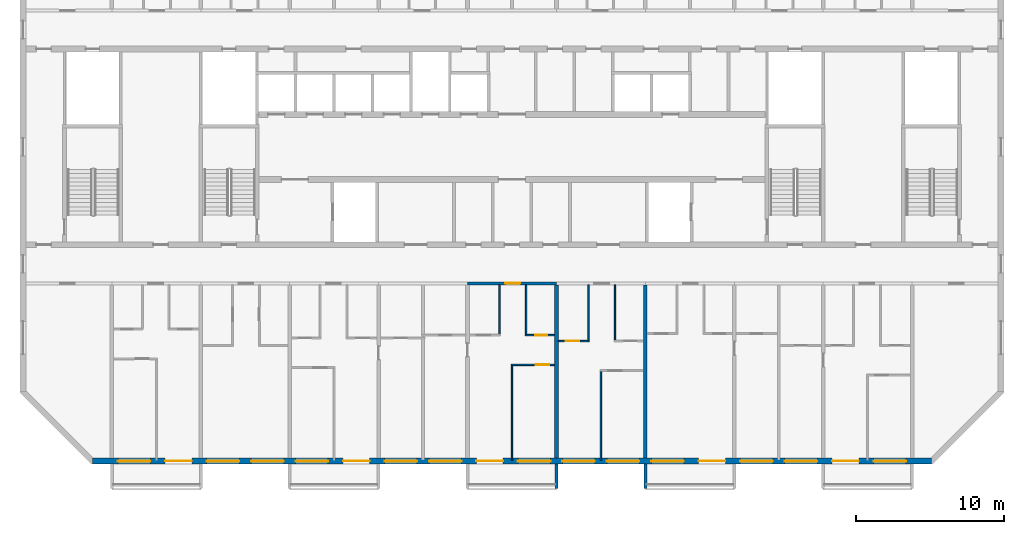
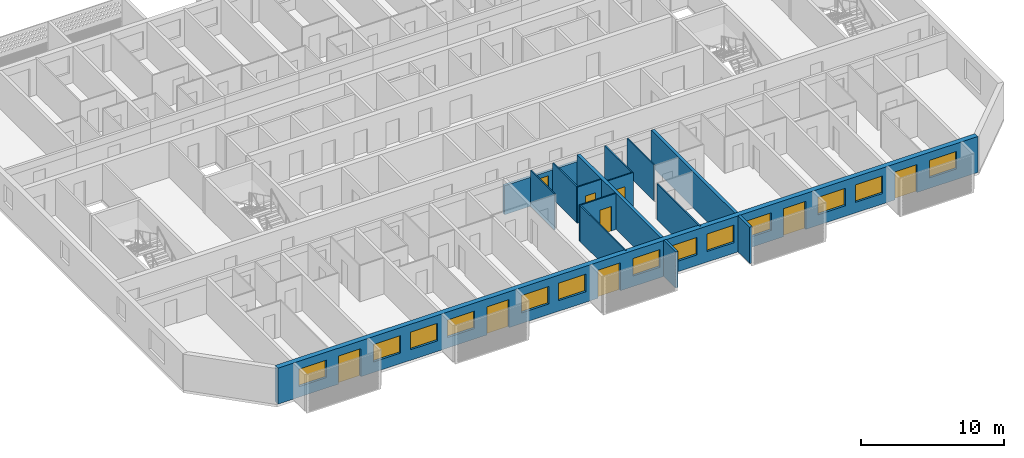
# One storey, part 4 of 27: 15 walls, 13 windows, 9 doors, 22 openings.
"""IFC4 building model written with IfcOpenShell, lengths in metres."""

from ifc_helpers import new_model, si_unit, direction, frame, frame_2d, origin, place, context, subcontext, project, spatial, polyline, rectangle, outline, extrude, source, transform, mapped, material, layer, layer_set, type_object, element, fill, save


model = new_model("IFC4")

# Units and contexts
model_context = context("Model", 3, precision=1e-05, world=origin(), true_north=direction((0.0, 1.0)))
body_context = subcontext(model_context, "Body", "Model", "MODEL_VIEW")
ifc_project = project(units=[si_unit("LENGTHUNIT", "METRE"), si_unit("AREAUNIT", "SQUARE_METRE"), si_unit("VOLUMEUNIT", "CUBIC_METRE"), si_unit("PLANEANGLEUNIT", "RADIAN"), si_unit("MASSUNIT", "GRAM", prefix="KILO")], contexts=[model_context])

# Site, building, storey
site_placement = place(None, origin())
site = spatial("IfcSite", under=ifc_project, at=site_placement, CompositionType="ELEMENT")
building_placement = place(site_placement, origin())
building = spatial("IfcBuilding", under=site, at=building_placement, Name="Poui Terraces", CompositionType="ELEMENT")
storey_placement = place(building_placement, frame((0.0, 0.0, 191.699951171875)))
storey = spatial("IfcBuildingStorey", under=building, at=storey_placement, Name="L53", CompositionType="ELEMENT", Elevation=191.699951171875)

# Wall, opening, door
ifc_material_1 = material(Name="Concrete 50 MPa", Category="concrete")
ifc_layer_1 = layer(ifc_material_1, 0.199951171875)
ifc_layer_set_1 = layer_set([ifc_layer_1], Name="Concrete 50 MPa")
wall_type_1 = type_object("IfcWallType", Name="CORRIDOR WALL 200 50MPa", PredefinedType="SHEAR", material=ifc_layer_set_1)
wall_1_placement = place(storey_placement, frame((48.0, 12.0, 0.0), z_axis=(0.0, 0.0, 1.0), x_axis=(1.0, 0.0, 0.0)))
wall_1 = element("IfcWall", 1, at=wall_1_placement, inside=storey, type_object=wall_type_1, Name="CORRIDOR WALL LINE B BAY 6", PredefinedType="SHEAR", context=body_context, shape_type="SweptSolid", body=[
    extrude(rectangle(XDim=6.0, YDim=0.199951171875, at=frame_2d((3.0, 0.0))), origin(), (0.0, 0.0, 1.0), 2.47998046875),
])
opening_1_placement = place(wall_1_placement, frame((2.550048828125, 0.0, 0.0)))
opening_1 = element("IfcOpeningElement", 2, at=opening_1_placement, cuts=wall_1, Name="Opening FD30S", PredefinedType="OPENING", context=body_context, shape_type="SweptSolid", body=[
    extrude(rectangle(XDim=1.0, YDim=2.10009765625, at=frame_2d((0.5, 1.050048828125))), frame((0.0, 0.10986328125, 0.0), z_axis=(0.0, -1.0, 0.0), x_axis=(1.0, 0.0, 0.0)), (0.0, 0.0, 1.0), 0.219970703125),
])
ifc_material_2 = material(Name="Steel fire door", Category="steel")
door_type_1 = type_object("IfcDoorType", Name="FLAT ENTRANCE DOOR 1000 X 2100", OperationType="NOTDEFINED", PredefinedType="DOOR", material=ifc_material_2)
door_1_placement = place(opening_1_placement, frame((1.0, 0.0, 0.0), z_axis=(0.0, 0.0, 1.0), x_axis=(-1.0, 0.0, 0.0)))
door_1 = element("IfcDoor", 3, at=door_1_placement, inside=storey, type_object=door_type_1, Name="FLAT ENTRANCE DOOR 080", OperationType="SINGLE_SWING_LEFT", OverallHeight=2.10009765625, OverallWidth=1.0, PredefinedType="DOOR", context=body_context, shape_type="SweptSolid", body=[
    extrude(rectangle(XDim=1.0, YDim=2.10009765625, at=frame_2d((0.5, 1.050048828125))), frame((0.0, 0.02490234375, 0.0), z_axis=(0.0, -1.0, 0.0), x_axis=(1.0, 0.0, 0.0)), (0.0, 0.0, 1.0), 0.050048828125),
])
fill(opening_1, door_1)

# Walls
ifc_layer_2 = layer(ifc_material_1, 0.25)
ifc_layer_set_2 = layer_set([ifc_layer_2], Name="Concrete 50 MPa")
wall_type_2 = type_object("IfcWallType", Name="CROSS WALL 250 50MPa", PredefinedType="SHEAR", material=ifc_layer_set_2)
for number, where, z_axis, x_axis, name in (
    (4, (54.0, 0.199951171875, 0.0), (0.0, 0.0, 1.0), (0.0, 1.0, 0.0), "CROSS WALL LINE 10 SOUTH"),
    (5, (60.0, 0.199951171875, 0.0), (0.0, 0.0, 1.0), (0.0, 1.0, 0.0), "CROSS WALL LINE 11 SOUTH"),
):
    element("IfcWall", number, at=place(storey_placement, frame(where, z_axis=z_axis, x_axis=x_axis)), inside=storey, type_object=wall_type_2, Name=name, PredefinedType="SHEAR", context=body_context, shape_type="SweptSolid", body=[
        extrude(rectangle(XDim=11.699951171875, YDim=0.25, at=frame_2d((5.85009765625, 0.0))), origin(), (0.0, 0.0, 1.0), 3.080078125),
    ])

# Wall, openings, doors, windows
ifc_material_3 = material(Name="Precast concrete 40 MPa", Category="concrete")
ifc_layer_3 = layer(ifc_material_3, 0.39990234375)
ifc_layer_set_3 = layer_set([ifc_layer_3], Name="Precast concrete 40 MPa")
wall_type_3 = type_object("IfcWallType", Name="EXTERNAL WALL 400", PredefinedType="STANDARD", material=ifc_layer_set_3)
wall_2_placement = place(storey_placement, frame((22.682861328125, 0.0, 0.0), z_axis=(0.0, 0.0, 1.0), x_axis=(1.0, 0.0, 0.0)))
wall_2 = element("IfcWall", 6, at=wall_2_placement, inside=storey, type_object=wall_type_3, Name="EXTERNAL WALL S", PredefinedType="STANDARD", context=body_context, shape_type="SweptSolid", body=[
    extrude(rectangle(XDim=56.63427734375, YDim=0.39990234375, at=frame_2d((28.317138671875, 0.0))), origin(), (0.0, 0.0, 1.0), 3.080078125),
])
opening_2_placement = place(wall_2_placement, frame((1.71728515625, 0.0, 0.89990234375)))
opening_2 = element("IfcOpeningElement", 7, at=opening_2_placement, cuts=wall_2, Name="Opening W1", PredefinedType="OPENING", context=body_context, shape_type="SweptSolid", body=[
    extrude(rectangle(XDim=2.199951171875, YDim=1.5, at=frame_2d((1.10009765625, 0.75))), frame((0.0, 0.2099609375, 0.0), z_axis=(0.0, -1.0, 0.0), x_axis=(1.0, 0.0, 0.0)), (0.0, 0.0, 1.0), 0.419921875),
])
opening_3_placement = place(wall_2_placement, frame((4.917236328125, 0.0, 0.0)))
opening_3 = element("IfcOpeningElement", 8, at=opening_3_placement, cuts=wall_2, Name="Opening BD1", PredefinedType="OPENING", context=body_context, shape_type="SweptSolid", body=[
    extrude(rectangle(XDim=1.800048828125, YDim=2.39990234375, at=frame_2d((0.89990234375, 1.199951171875))), frame((0.0, 0.2099609375, 0.0), z_axis=(0.0, -1.0, 0.0), x_axis=(1.0, 0.0, 0.0)), (0.0, 0.0, 1.0), 0.419921875),
])
opening_4_placement = place(wall_2_placement, frame((7.71728515625, 0.0, 0.89990234375)))
opening_4 = element("IfcOpeningElement", 9, at=opening_4_placement, cuts=wall_2, Name="Opening W1", PredefinedType="OPENING", context=body_context, shape_type="SweptSolid", body=[
    extrude(rectangle(XDim=2.199951171875, YDim=1.5, at=frame_2d((1.10009765625, 0.75))), frame((0.0, 0.2099609375, 0.0), z_axis=(0.0, -1.0, 0.0), x_axis=(1.0, 0.0, 0.0)), (0.0, 0.0, 1.0), 0.419921875),
])
opening_5_placement = place(wall_2_placement, frame((10.71728515625, 0.0, 0.89990234375)))
opening_5 = element("IfcOpeningElement", 10, at=opening_5_placement, cuts=wall_2, Name="Opening W1", PredefinedType="OPENING", context=body_context, shape_type="SweptSolid", body=[
    extrude(rectangle(XDim=2.199951171875, YDim=1.5, at=frame_2d((1.10009765625, 0.75))), frame((0.0, 0.2099609375, 0.0), z_axis=(0.0, -1.0, 0.0), x_axis=(1.0, 0.0, 0.0)), (0.0, 0.0, 1.0), 0.419921875),
])
opening_6_placement = place(wall_2_placement, frame((13.71728515625, 0.0, 0.89990234375)))
opening_6 = element("IfcOpeningElement", 11, at=opening_6_placement, cuts=wall_2, Name="Opening W1", PredefinedType="OPENING", context=body_context, shape_type="SweptSolid", body=[
    extrude(rectangle(XDim=2.199951171875, YDim=1.5, at=frame_2d((1.10009765625, 0.75))), frame((0.0, 0.2099609375, 0.0), z_axis=(0.0, -1.0, 0.0), x_axis=(1.0, 0.0, 0.0)), (0.0, 0.0, 1.0), 0.419921875),
])
opening_7_placement = place(wall_2_placement, frame((16.917236328125, 0.0, 0.0)))
opening_7 = element("IfcOpeningElement", 12, at=opening_7_placement, cuts=wall_2, Name="Opening BD1", PredefinedType="OPENING", context=body_context, shape_type="SweptSolid", body=[
    extrude(rectangle(XDim=1.800048828125, YDim=2.39990234375, at=frame_2d((0.89990234375, 1.199951171875))), frame((0.0, 0.2099609375, 0.0), z_axis=(0.0, -1.0, 0.0), x_axis=(1.0, 0.0, 0.0)), (0.0, 0.0, 1.0), 0.419921875),
])
opening_8_placement = place(wall_2_placement, frame((19.71728515625, 0.0, 0.89990234375)))
opening_8 = element("IfcOpeningElement", 13, at=opening_8_placement, cuts=wall_2, Name="Opening W1", PredefinedType="OPENING", context=body_context, shape_type="SweptSolid", body=[
    extrude(rectangle(XDim=2.199951171875, YDim=1.5, at=frame_2d((1.10009765625, 0.75))), frame((0.0, 0.2099609375, 0.0), z_axis=(0.0, -1.0, 0.0), x_axis=(1.0, 0.0, 0.0)), (0.0, 0.0, 1.0), 0.419921875),
])
opening_9_placement = place(wall_2_placement, frame((22.71728515625, 0.0, 0.89990234375)))
opening_9 = element("IfcOpeningElement", 14, at=opening_9_placement, cuts=wall_2, Name="Opening W1", PredefinedType="OPENING", context=body_context, shape_type="SweptSolid", body=[
    extrude(rectangle(XDim=2.199951171875, YDim=1.5, at=frame_2d((1.10009765625, 0.75))), frame((0.0, 0.2099609375, 0.0), z_axis=(0.0, -1.0, 0.0), x_axis=(1.0, 0.0, 0.0)), (0.0, 0.0, 1.0), 0.419921875),
])
opening_10_placement = place(wall_2_placement, frame((25.917236328125, 0.0, 0.0)))
opening_10 = element("IfcOpeningElement", 15, at=opening_10_placement, cuts=wall_2, Name="Opening BD1", PredefinedType="OPENING", context=body_context, shape_type="SweptSolid", body=[
    extrude(rectangle(XDim=1.800048828125, YDim=2.39990234375, at=frame_2d((0.89990234375, 1.199951171875))), frame((0.0, 0.2099609375, 0.0), z_axis=(0.0, -1.0, 0.0), x_axis=(1.0, 0.0, 0.0)), (0.0, 0.0, 1.0), 0.419921875),
])
opening_11_placement = place(wall_2_placement, frame((28.71728515625, 0.0, 0.89990234375)))
opening_11 = element("IfcOpeningElement", 16, at=opening_11_placement, cuts=wall_2, Name="Opening W1", PredefinedType="OPENING", context=body_context, shape_type="SweptSolid", body=[
    extrude(rectangle(XDim=2.199951171875, YDim=1.5, at=frame_2d((1.10009765625, 0.75))), frame((0.0, 0.2099609375, 0.0), z_axis=(0.0, -1.0, 0.0), x_axis=(1.0, 0.0, 0.0)), (0.0, 0.0, 1.0), 0.419921875),
])
opening_12_placement = place(wall_2_placement, frame((31.71728515625, 0.0, 0.89990234375)))
opening_12 = element("IfcOpeningElement", 17, at=opening_12_placement, cuts=wall_2, Name="Opening W1", PredefinedType="OPENING", context=body_context, shape_type="SweptSolid", body=[
    extrude(rectangle(XDim=2.199951171875, YDim=1.5, at=frame_2d((1.10009765625, 0.75))), frame((0.0, 0.2099609375, 0.0), z_axis=(0.0, -1.0, 0.0), x_axis=(1.0, 0.0, 0.0)), (0.0, 0.0, 1.0), 0.419921875),
])
opening_13_placement = place(wall_2_placement, frame((34.71728515625, 0.0, 0.89990234375)))
opening_13 = element("IfcOpeningElement", 18, at=opening_13_placement, cuts=wall_2, Name="Opening W1", PredefinedType="OPENING", context=body_context, shape_type="SweptSolid", body=[
    extrude(rectangle(XDim=2.199951171875, YDim=1.5, at=frame_2d((1.10009765625, 0.75))), frame((0.0, 0.2099609375, 0.0), z_axis=(0.0, -1.0, 0.0), x_axis=(1.0, 0.0, 0.0)), (0.0, 0.0, 1.0), 0.419921875),
])
opening_14_placement = place(wall_2_placement, frame((37.71728515625, 0.0, 0.89990234375)))
opening_14 = element("IfcOpeningElement", 19, at=opening_14_placement, cuts=wall_2, Name="Opening W1", PredefinedType="OPENING", context=body_context, shape_type="SweptSolid", body=[
    extrude(rectangle(XDim=2.199951171875, YDim=1.5, at=frame_2d((1.10009765625, 0.75))), frame((0.0, 0.2099609375, 0.0), z_axis=(0.0, -1.0, 0.0), x_axis=(1.0, 0.0, 0.0)), (0.0, 0.0, 1.0), 0.419921875),
])
opening_15_placement = place(wall_2_placement, frame((40.917236328125, 0.0, 0.0)))
opening_15 = element("IfcOpeningElement", 20, at=opening_15_placement, cuts=wall_2, Name="Opening BD1", PredefinedType="OPENING", context=body_context, shape_type="SweptSolid", body=[
    extrude(rectangle(XDim=1.800048828125, YDim=2.39990234375, at=frame_2d((0.89990234375, 1.199951171875))), frame((0.0, 0.2099609375, 0.0), z_axis=(0.0, -1.0, 0.0), x_axis=(1.0, 0.0, 0.0)), (0.0, 0.0, 1.0), 0.419921875),
])
opening_16_placement = place(wall_2_placement, frame((43.71728515625, 0.0, 0.89990234375)))
opening_16 = element("IfcOpeningElement", 21, at=opening_16_placement, cuts=wall_2, Name="Opening W1", PredefinedType="OPENING", context=body_context, shape_type="SweptSolid", body=[
    extrude(rectangle(XDim=2.199951171875, YDim=1.5, at=frame_2d((1.10009765625, 0.75))), frame((0.0, 0.2099609375, 0.0), z_axis=(0.0, -1.0, 0.0), x_axis=(1.0, 0.0, 0.0)), (0.0, 0.0, 1.0), 0.419921875),
])
opening_17_placement = place(wall_2_placement, frame((46.71728515625, 0.0, 0.89990234375)))
opening_17 = element("IfcOpeningElement", 22, at=opening_17_placement, cuts=wall_2, Name="Opening W1", PredefinedType="OPENING", context=body_context, shape_type="SweptSolid", body=[
    extrude(rectangle(XDim=2.199951171875, YDim=1.5, at=frame_2d((1.10009765625, 0.75))), frame((0.0, 0.2099609375, 0.0), z_axis=(0.0, -1.0, 0.0), x_axis=(1.0, 0.0, 0.0)), (0.0, 0.0, 1.0), 0.419921875),
])
opening_18_placement = place(wall_2_placement, frame((49.917236328125, 0.0, 0.0)))
opening_18 = element("IfcOpeningElement", 23, at=opening_18_placement, cuts=wall_2, Name="Opening BD1", PredefinedType="OPENING", context=body_context, shape_type="SweptSolid", body=[
    extrude(rectangle(XDim=1.800048828125, YDim=2.39990234375, at=frame_2d((0.89990234375, 1.199951171875))), frame((0.0, 0.2099609375, 0.0), z_axis=(0.0, -1.0, 0.0), x_axis=(1.0, 0.0, 0.0)), (0.0, 0.0, 1.0), 0.419921875),
])
opening_19_placement = place(wall_2_placement, frame((52.71728515625, 0.0, 0.89990234375)))
opening_19 = element("IfcOpeningElement", 24, at=opening_19_placement, cuts=wall_2, Name="Opening W1", PredefinedType="OPENING", context=body_context, shape_type="SweptSolid", body=[
    extrude(rectangle(XDim=2.199951171875, YDim=1.5, at=frame_2d((1.10009765625, 0.75))), frame((0.0, 0.2099609375, 0.0), z_axis=(0.0, -1.0, 0.0), x_axis=(1.0, 0.0, 0.0)), (0.0, 0.0, 1.0), 0.419921875),
])
ifc_material_4 = material(Name="Clear glass in aluminium frame", Category="aluminium")
door_type_2 = type_object("IfcDoorType", Name="BALCONY DOOR 1800X2400", OperationType="DOUBLE_DOOR_SLIDING", PredefinedType="DOOR", material=ifc_material_4)
door_2_placement = place(opening_3_placement, origin())
door_2 = element("IfcDoor", 25, at=door_2_placement, inside=storey, type_object=door_type_2, Name="BD1 BALCONY DOOR", OperationType="DOUBLE_DOOR_SLIDING", OverallHeight=2.39990234375, OverallWidth=1.800048828125, PredefinedType="DOOR", context=body_context, shape_type="SweptSolid", body=[
    extrude(rectangle(XDim=1.800048828125, YDim=2.39990234375, at=frame_2d((0.89990234375, 1.199951171875))), frame((0.0, 0.02490234375, 0.0), z_axis=(0.0, -1.0, 0.0), x_axis=(1.0, 0.0, 0.0)), (0.0, 0.0, 1.0), 0.050048828125),
])
fill(opening_3, door_2)
door_3_placement = place(opening_7_placement, origin())
door_3 = element("IfcDoor", 26, at=door_3_placement, inside=storey, type_object=door_type_2, Name="BD1 BALCONY DOOR", OperationType="DOUBLE_DOOR_SLIDING", OverallHeight=2.39990234375, OverallWidth=1.800048828125, PredefinedType="DOOR", context=body_context, shape_type="SweptSolid", body=[
    extrude(rectangle(XDim=1.800048828125, YDim=2.39990234375, at=frame_2d((0.89990234375, 1.199951171875))), frame((0.0, 0.02490234375, 0.0), z_axis=(0.0, -1.0, 0.0), x_axis=(1.0, 0.0, 0.0)), (0.0, 0.0, 1.0), 0.050048828125),
])
fill(opening_7, door_3)
door_4_placement = place(opening_10_placement, origin())
door_4 = element("IfcDoor", 27, at=door_4_placement, inside=storey, type_object=door_type_2, Name="BD1 BALCONY DOOR", OperationType="DOUBLE_DOOR_SLIDING", OverallHeight=2.39990234375, OverallWidth=1.800048828125, PredefinedType="DOOR", context=body_context, shape_type="SweptSolid", body=[
    extrude(rectangle(XDim=1.800048828125, YDim=2.39990234375, at=frame_2d((0.89990234375, 1.199951171875))), frame((0.0, 0.02490234375, 0.0), z_axis=(0.0, -1.0, 0.0), x_axis=(1.0, 0.0, 0.0)), (0.0, 0.0, 1.0), 0.050048828125),
])
fill(opening_10, door_4)
door_5_placement = place(opening_15_placement, origin())
door_5 = element("IfcDoor", 28, at=door_5_placement, inside=storey, type_object=door_type_2, Name="BD1 BALCONY DOOR", OperationType="DOUBLE_DOOR_SLIDING", OverallHeight=2.39990234375, OverallWidth=1.800048828125, PredefinedType="DOOR", context=body_context, shape_type="SweptSolid", body=[
    extrude(rectangle(XDim=1.800048828125, YDim=2.39990234375, at=frame_2d((0.89990234375, 1.199951171875))), frame((0.0, 0.02490234375, 0.0), z_axis=(0.0, -1.0, 0.0), x_axis=(1.0, 0.0, 0.0)), (0.0, 0.0, 1.0), 0.050048828125),
])
fill(opening_15, door_5)
door_6_placement = place(opening_18_placement, origin())
door_6 = element("IfcDoor", 29, at=door_6_placement, inside=storey, type_object=door_type_2, Name="BD1 BALCONY DOOR", OperationType="DOUBLE_DOOR_SLIDING", OverallHeight=2.39990234375, OverallWidth=1.800048828125, PredefinedType="DOOR", context=body_context, shape_type="SweptSolid", body=[
    extrude(rectangle(XDim=1.800048828125, YDim=2.39990234375, at=frame_2d((0.89990234375, 1.199951171875))), frame((0.0, 0.02490234375, 0.0), z_axis=(0.0, -1.0, 0.0), x_axis=(1.0, 0.0, 0.0)), (0.0, 0.0, 1.0), 0.050048828125),
])
fill(opening_18, door_6)
window_type = type_object("IfcWindowType", Name="WINDOW 2200X1500", PartitioningType="DOUBLE_PANEL_HORIZONTAL", PredefinedType="WINDOW", material=ifc_material_4)
window_1_placement = place(opening_2_placement, origin())
window_1 = element("IfcWindow", 30, at=window_1_placement, inside=storey, type_object=window_type, Name="W1 WINDOW", OverallHeight=1.5, OverallWidth=2.199951171875, PartitioningType="DOUBLE_PANEL_HORIZONTAL", PredefinedType="WINDOW", context=body_context, shape_type="SweptSolid", body=[
    extrude(rectangle(XDim=2.199951171875, YDim=1.5, at=frame_2d((1.10009765625, 0.75))), frame((0.0, 0.030029296875, 0.0), z_axis=(0.0, -1.0, 0.0), x_axis=(1.0, 0.0, 0.0)), (0.0, 0.0, 1.0), 0.06005859375),
])
fill(opening_2, window_1)
window_2_placement = place(opening_4_placement, origin())
window_2 = element("IfcWindow", 31, at=window_2_placement, inside=storey, type_object=window_type, Name="W1 WINDOW", OverallHeight=1.5, OverallWidth=2.199951171875, PartitioningType="DOUBLE_PANEL_HORIZONTAL", PredefinedType="WINDOW", context=body_context, shape_type="SweptSolid", body=[
    extrude(rectangle(XDim=2.199951171875, YDim=1.5, at=frame_2d((1.10009765625, 0.75))), frame((0.0, 0.030029296875, 0.0), z_axis=(0.0, -1.0, 0.0), x_axis=(1.0, 0.0, 0.0)), (0.0, 0.0, 1.0), 0.06005859375),
])
fill(opening_4, window_2)
window_3_placement = place(opening_5_placement, origin())
window_3 = element("IfcWindow", 32, at=window_3_placement, inside=storey, type_object=window_type, Name="W1 WINDOW", OverallHeight=1.5, OverallWidth=2.199951171875, PartitioningType="DOUBLE_PANEL_HORIZONTAL", PredefinedType="WINDOW", context=body_context, shape_type="SweptSolid", body=[
    extrude(rectangle(XDim=2.199951171875, YDim=1.5, at=frame_2d((1.10009765625, 0.75))), frame((0.0, 0.030029296875, 0.0), z_axis=(0.0, -1.0, 0.0), x_axis=(1.0, 0.0, 0.0)), (0.0, 0.0, 1.0), 0.06005859375),
])
fill(opening_5, window_3)
window_4_placement = place(opening_6_placement, origin())
window_4 = element("IfcWindow", 33, at=window_4_placement, inside=storey, type_object=window_type, Name="W1 WINDOW", OverallHeight=1.5, OverallWidth=2.199951171875, PartitioningType="DOUBLE_PANEL_HORIZONTAL", PredefinedType="WINDOW", context=body_context, shape_type="SweptSolid", body=[
    extrude(rectangle(XDim=2.199951171875, YDim=1.5, at=frame_2d((1.10009765625, 0.75))), frame((0.0, 0.030029296875, 0.0), z_axis=(0.0, -1.0, 0.0), x_axis=(1.0, 0.0, 0.0)), (0.0, 0.0, 1.0), 0.06005859375),
])
fill(opening_6, window_4)
window_5_placement = place(opening_8_placement, origin())
window_5 = element("IfcWindow", 34, at=window_5_placement, inside=storey, type_object=window_type, Name="W1 WINDOW", OverallHeight=1.5, OverallWidth=2.199951171875, PartitioningType="DOUBLE_PANEL_HORIZONTAL", PredefinedType="WINDOW", context=body_context, shape_type="SweptSolid", body=[
    extrude(rectangle(XDim=2.199951171875, YDim=1.5, at=frame_2d((1.10009765625, 0.75))), frame((0.0, 0.030029296875, 0.0), z_axis=(0.0, -1.0, 0.0), x_axis=(1.0, 0.0, 0.0)), (0.0, 0.0, 1.0), 0.06005859375),
])
fill(opening_8, window_5)
window_6_placement = place(opening_9_placement, origin())
window_6 = element("IfcWindow", 35, at=window_6_placement, inside=storey, type_object=window_type, Name="W1 WINDOW", OverallHeight=1.5, OverallWidth=2.199951171875, PartitioningType="DOUBLE_PANEL_HORIZONTAL", PredefinedType="WINDOW", context=body_context, shape_type="SweptSolid", body=[
    extrude(rectangle(XDim=2.199951171875, YDim=1.5, at=frame_2d((1.10009765625, 0.75))), frame((0.0, 0.030029296875, 0.0), z_axis=(0.0, -1.0, 0.0), x_axis=(1.0, 0.0, 0.0)), (0.0, 0.0, 1.0), 0.06005859375),
])
fill(opening_9, window_6)
window_7_placement = place(opening_11_placement, origin())
window_7 = element("IfcWindow", 36, at=window_7_placement, inside=storey, type_object=window_type, Name="W1 WINDOW", OverallHeight=1.5, OverallWidth=2.199951171875, PartitioningType="DOUBLE_PANEL_HORIZONTAL", PredefinedType="WINDOW", context=body_context, shape_type="SweptSolid", body=[
    extrude(rectangle(XDim=2.199951171875, YDim=1.5, at=frame_2d((1.10009765625, 0.75))), frame((0.0, 0.030029296875, 0.0), z_axis=(0.0, -1.0, 0.0), x_axis=(1.0, 0.0, 0.0)), (0.0, 0.0, 1.0), 0.06005859375),
])
fill(opening_11, window_7)
window_8_placement = place(opening_12_placement, origin())
window_8 = element("IfcWindow", 37, at=window_8_placement, inside=storey, type_object=window_type, Name="W1 WINDOW", OverallHeight=1.5, OverallWidth=2.199951171875, PartitioningType="DOUBLE_PANEL_HORIZONTAL", PredefinedType="WINDOW", context=body_context, shape_type="SweptSolid", body=[
    extrude(rectangle(XDim=2.199951171875, YDim=1.5, at=frame_2d((1.10009765625, 0.75))), frame((0.0, 0.030029296875, 0.0), z_axis=(0.0, -1.0, 0.0), x_axis=(1.0, 0.0, 0.0)), (0.0, 0.0, 1.0), 0.06005859375),
])
fill(opening_12, window_8)
window_9_placement = place(opening_13_placement, origin())
window_9 = element("IfcWindow", 38, at=window_9_placement, inside=storey, type_object=window_type, Name="W1 WINDOW", OverallHeight=1.5, OverallWidth=2.199951171875, PartitioningType="DOUBLE_PANEL_HORIZONTAL", PredefinedType="WINDOW", context=body_context, shape_type="SweptSolid", body=[
    extrude(rectangle(XDim=2.199951171875, YDim=1.5, at=frame_2d((1.10009765625, 0.75))), frame((0.0, 0.030029296875, 0.0), z_axis=(0.0, -1.0, 0.0), x_axis=(1.0, 0.0, 0.0)), (0.0, 0.0, 1.0), 0.06005859375),
])
fill(opening_13, window_9)
window_10_placement = place(opening_14_placement, origin())
window_10 = element("IfcWindow", 39, at=window_10_placement, inside=storey, type_object=window_type, Name="W1 WINDOW", OverallHeight=1.5, OverallWidth=2.199951171875, PartitioningType="DOUBLE_PANEL_HORIZONTAL", PredefinedType="WINDOW", context=body_context, shape_type="SweptSolid", body=[
    extrude(rectangle(XDim=2.199951171875, YDim=1.5, at=frame_2d((1.10009765625, 0.75))), frame((0.0, 0.030029296875, 0.0), z_axis=(0.0, -1.0, 0.0), x_axis=(1.0, 0.0, 0.0)), (0.0, 0.0, 1.0), 0.06005859375),
])
fill(opening_14, window_10)
window_11_placement = place(opening_16_placement, origin())
window_11 = element("IfcWindow", 40, at=window_11_placement, inside=storey, type_object=window_type, Name="W1 WINDOW", OverallHeight=1.5, OverallWidth=2.199951171875, PartitioningType="DOUBLE_PANEL_HORIZONTAL", PredefinedType="WINDOW", context=body_context, shape_type="SweptSolid", body=[
    extrude(rectangle(XDim=2.199951171875, YDim=1.5, at=frame_2d((1.10009765625, 0.75))), frame((0.0, 0.030029296875, 0.0), z_axis=(0.0, -1.0, 0.0), x_axis=(1.0, 0.0, 0.0)), (0.0, 0.0, 1.0), 0.06005859375),
])
fill(opening_16, window_11)
window_12_placement = place(opening_17_placement, origin())
window_12 = element("IfcWindow", 41, at=window_12_placement, inside=storey, type_object=window_type, Name="W1 WINDOW", OverallHeight=1.5, OverallWidth=2.199951171875, PartitioningType="DOUBLE_PANEL_HORIZONTAL", PredefinedType="WINDOW", context=body_context, shape_type="SweptSolid", body=[
    extrude(rectangle(XDim=2.199951171875, YDim=1.5, at=frame_2d((1.10009765625, 0.75))), frame((0.0, 0.030029296875, 0.0), z_axis=(0.0, -1.0, 0.0), x_axis=(1.0, 0.0, 0.0)), (0.0, 0.0, 1.0), 0.06005859375),
])
fill(opening_17, window_12)
window_13_placement = place(opening_19_placement, origin())
window_13 = element("IfcWindow", 42, at=window_13_placement, inside=storey, type_object=window_type, Name="W1 WINDOW", OverallHeight=1.5, OverallWidth=2.199951171875, PartitioningType="DOUBLE_PANEL_HORIZONTAL", PredefinedType="WINDOW", context=body_context, shape_type="SweptSolid", body=[
    extrude(rectangle(XDim=2.199951171875, YDim=1.5, at=frame_2d((1.10009765625, 0.75))), frame((0.0, 0.030029296875, 0.0), z_axis=(0.0, -1.0, 0.0), x_axis=(1.0, 0.0, 0.0)), (0.0, 0.0, 1.0), 0.06005859375),
])
fill(opening_19, window_13)

# Wall, opening, door
ifc_material_5 = material(Name="Plasterboard partition")
ifc_layer_4 = layer(ifc_material_5, 0.10009765625)
ifc_layer_set_4 = layer_set([ifc_layer_4], Name="Plasterboard partition")
wall_type_4 = type_object("IfcWallType", Name="FLAT PARTITION 100", PredefinedType="PARTITIONING", material=ifc_layer_set_4)
wall_3_placement = place(storey_placement, frame((50.949951171875, 6.5, 0.0), z_axis=(0.0, 0.0, 1.0), x_axis=(1.0, 0.0, 0.0)))
wall_3 = element("IfcWall", 43, at=wall_3_placement, inside=storey, type_object=wall_type_4, Name="FLAT PARTITION 100", PredefinedType="PARTITIONING", context=body_context, shape_type="SweptSolid", body=[
    extrude(rectangle(XDim=2.9150390625, YDim=0.10009765625, at=frame_2d((1.45751953125, 0.0))), origin(), (0.0, 0.0, 1.0), 3.080078125),
])
opening_20_placement = place(wall_3_placement, frame((1.64990234375, 0.0, 0.0)))
opening_20 = element("IfcOpeningElement", 44, at=opening_20_placement, cuts=wall_3, Name="Opening D90", PredefinedType="OPENING", context=body_context, shape_type="SweptSolid", body=[
    extrude(rectangle(XDim=0.89990234375, YDim=2.10009765625, at=frame_2d((0.449951171875, 1.050048828125))), frame((0.0, 0.06005859375, 0.0), z_axis=(0.0, -1.0, 0.0), x_axis=(1.0, 0.0, 0.0)), (0.0, 0.0, 1.0), 0.1201171875),
])
ifc_material_6 = material(Name="Solid core timber door", Category="wood")
door_type_3 = type_object("IfcDoorType", Name="INTERNAL DOOR 900 X 2100", OperationType="NOTDEFINED", PredefinedType="DOOR", material=ifc_material_6)
door_7_placement = place(opening_20_placement, origin())
door_7 = element("IfcDoor", 45, at=door_7_placement, inside=storey, type_object=door_type_3, Name="INTERNAL DOOR 082", OperationType="SINGLE_SWING_LEFT", OverallHeight=2.10009765625, OverallWidth=0.89990234375, PredefinedType="DOOR", context=body_context, shape_type="SweptSolid", body=[
    extrude(rectangle(XDim=0.89990234375, YDim=2.10009765625, at=frame_2d((0.449951171875, 1.050048828125))), frame((0.0, 0.02490234375, 0.0), z_axis=(0.0, -1.0, 0.0), x_axis=(1.0, 0.0, 0.0)), (0.0, 0.0, 1.0), 0.050048828125),
])
fill(opening_20, door_7)

wall_4_placement = place(storey_placement, frame((54.135009765625, 8.10009765625, 0.0), z_axis=(0.0, 0.0, 1.0), x_axis=(1.0, 0.0, 0.0)))
wall_4 = element("IfcWall", 46, at=wall_4_placement, inside=storey, type_object=wall_type_4, Name="FLAT PARTITION 100", PredefinedType="PARTITIONING", context=body_context, shape_type="SweptSolid", body=[
    extrude(rectangle(XDim=2.06494140625, YDim=0.10009765625, at=frame_2d((1.032470703125, 0.0))), origin(), (0.0, 0.0, 1.0), 3.080078125),
])
opening_21_placement = place(wall_4_placement, frame((0.489990234375, 0.0, 0.0)))
opening_21 = element("IfcOpeningElement", 47, at=opening_21_placement, cuts=wall_4, Name="Opening D90", PredefinedType="OPENING", context=body_context, shape_type="SweptSolid", body=[
    extrude(rectangle(XDim=0.89990234375, YDim=2.10009765625, at=frame_2d((0.449951171875, 1.050048828125))), frame((0.0, 0.06005859375, 0.0), z_axis=(0.0, -1.0, 0.0), x_axis=(1.0, 0.0, 0.0)), (0.0, 0.0, 1.0), 0.1201171875),
])
door_8_placement = place(opening_21_placement, origin())
door_8 = element("IfcDoor", 48, at=door_8_placement, inside=storey, type_object=door_type_3, Name="INTERNAL DOOR 083", OperationType="SINGLE_SWING_RIGHT", OverallHeight=2.10009765625, OverallWidth=0.89990234375, PredefinedType="DOOR", context=body_context, shape_type="SweptSolid", body=[
    extrude(rectangle(XDim=0.89990234375, YDim=2.10009765625, at=frame_2d((0.449951171875, 1.050048828125))), frame((0.0, 0.02490234375, 0.0), z_axis=(0.0, -1.0, 0.0), x_axis=(1.0, 0.0, 0.0)), (0.0, 0.0, 1.0), 0.050048828125),
])
fill(opening_21, door_8)

wall_5_placement = place(storey_placement, frame((51.89990234375, 8.5, 0.0), z_axis=(0.0, 0.0, 1.0), x_axis=(1.0, 0.0, 0.0)))
wall_5 = element("IfcWall", 49, at=wall_5_placement, inside=storey, type_object=wall_type_4, Name="FLAT PARTITION 100", PredefinedType="PARTITIONING", context=body_context, shape_type="SweptSolid", body=[
    extrude(rectangle(XDim=1.965087890625, YDim=0.10009765625, at=frame_2d((0.982421875, 0.0))), origin(), (0.0, 0.0, 1.0), 3.080078125),
])
opening_22_placement = place(wall_5_placement, frame((0.675048828125, 0.0, 0.0)))
opening_22 = element("IfcOpeningElement", 50, at=opening_22_placement, cuts=wall_5, Name="Opening D80", PredefinedType="OPENING", context=body_context, shape_type="SweptSolid", body=[
    extrude(rectangle(XDim=0.800048828125, YDim=2.10009765625, at=frame_2d((0.39990234375, 1.050048828125))), frame((0.0, 0.06005859375, 0.0), z_axis=(0.0, -1.0, 0.0), x_axis=(1.0, 0.0, 0.0)), (0.0, 0.0, 1.0), 0.1201171875),
])
door_type_4 = type_object("IfcDoorType", Name="BATHROOM, LAUNDRY AND STORE DOOR 800 X 2100", OperationType="NOTDEFINED", PredefinedType="DOOR", material=ifc_material_6)
door_9_placement = place(opening_22_placement, origin())
door_9 = element("IfcDoor", 51, at=door_9_placement, inside=storey, type_object=door_type_4, Name="BATHROOM, LAUNDRY AND STORE DOOR 081", OperationType="SINGLE_SWING_RIGHT", OverallHeight=2.10009765625, OverallWidth=0.800048828125, PredefinedType="DOOR", context=body_context, shape_type="SweptSolid", body=[
    extrude(rectangle(XDim=0.800048828125, YDim=2.10009765625, at=frame_2d((0.39990234375, 1.050048828125))), frame((0.0, 0.02490234375, 0.0), z_axis=(0.0, -1.0, 0.0), x_axis=(1.0, 0.0, 0.0)), (0.0, 0.0, 1.0), 0.050048828125),
])
fill(opening_22, door_9)

# Walls
wall_6_placement = place(storey_placement, frame((50.14990234375, 8.550048828125, 0.0), z_axis=(0.0, 0.0, 1.0), x_axis=(0.0, 1.0, 0.0)))
element("IfcWall", 52, at=wall_6_placement, inside=storey, type_object=wall_type_4, Name="FLAT PARTITION 100", PredefinedType="PARTITIONING", context=body_context, shape_type="SweptSolid", body=[
    extrude(rectangle(XDim=3.33984375, YDim=0.10009765625, at=frame_2d((1.669921875, 0.0))), origin(), (0.0, 0.0, 1.0), 3.080078125),
])
wall_7_placement = place(storey_placement, frame((51.0, 0.06005859375, 0.0), z_axis=(0.0, 0.0, 1.0), x_axis=(0.0, 1.0, 0.0)))
element("IfcWall", 53, at=wall_7_placement, inside=storey, type_object=wall_type_4, Name="FLAT PARTITION 100", PredefinedType="PARTITIONING", context=body_context, shape_type="SweptSolid", body=[
    extrude(rectangle(XDim=6.389892578125, YDim=0.10009765625, at=frame_2d((3.19482421875, 0.0))), origin(), (0.0, 0.0, 1.0), 3.080078125),
])
wall_8_placement = place(storey_placement, frame((51.949951171875, 8.550048828125, 0.0), z_axis=(0.0, 0.0, 1.0), x_axis=(0.0, 1.0, 0.0)))
element("IfcWall", 54, at=wall_8_placement, inside=storey, type_object=wall_type_4, Name="FLAT PARTITION 100", PredefinedType="PARTITIONING", context=body_context, shape_type="SweptSolid", body=[
    extrude(rectangle(XDim=3.33984375, YDim=0.10009765625, at=frame_2d((1.669921875, 0.0))), origin(), (0.0, 0.0, 1.0), 3.080078125),
])
wall_9_placement = place(storey_placement, frame((56.14990234375, 8.14990234375, 0.0), z_axis=(0.0, 0.0, 1.0), x_axis=(0.0, 1.0, 0.0)))
element("IfcWall", 55, at=wall_9_placement, inside=storey, type_object=wall_type_4, Name="FLAT PARTITION 100", PredefinedType="PARTITIONING", context=body_context, shape_type="SweptSolid", body=[
    extrude(rectangle(XDim=3.739990234375, YDim=0.10009765625, at=frame_2d((1.8701171875, 0.0))), origin(), (0.0, 0.0, 1.0), 3.080078125),
])
wall_10_placement = place(storey_placement, frame((57.0, 0.06005859375, 0.0), z_axis=(0.0, 0.0, 1.0), x_axis=(0.0, 1.0, 0.0)))
element("IfcWall", 56, at=wall_10_placement, inside=storey, type_object=wall_type_4, Name="FLAT PARTITION 100", PredefinedType="PARTITIONING", context=body_context, shape_type="SweptSolid", body=[
    extrude(rectangle(XDim=5.989990234375, YDim=0.10009765625, at=frame_2d((2.9951171875, 0.0))), origin(), (0.0, 0.0, 1.0), 3.080078125),
])
wall_11_placement = place(storey_placement, frame((57.949951171875, 8.14990234375, 0.0), z_axis=(0.0, 0.0, 1.0), x_axis=(0.0, 1.0, 0.0)))
element("IfcWall", 57, at=wall_11_placement, inside=storey, type_object=wall_type_4, Name="FLAT PARTITION 100", PredefinedType="PARTITIONING", context=body_context, shape_type="SweptSolid", body=[
    extrude(rectangle(XDim=3.739990234375, YDim=0.10009765625, at=frame_2d((1.8701171875, 0.0))), origin(), (0.0, 0.0, 1.0), 3.080078125),
])
ifc_layer_5 = layer(ifc_material_3, 0.199951171875)
ifc_layer_set_5 = layer_set([ifc_layer_5], Name="Precast concrete 40 MPa")
wall_type_5 = type_object("IfcWallType", Name="REAR FIN 200", PredefinedType="STANDARD", material=ifc_layer_set_5)
shared_shape = source(origin(), body_context, "Body", "SweptSolid", [
    extrude(outline(polyline([(0.0, 0.0), (0.2001953125, 0.0), (0.2001953125, 1.650146484375), (0.0, 1.650146484375), (0.0, 0.0)])), origin(), (0.0, 0.0, 1.0), 3.10009765625),
])
for number, where, name in (
    (58, (53.89990234375, -1.85009765625, 0.0), "REAR FIN"),
    (59, (59.89990234375, -1.85009765625, 0.0), "REAR FIN"),
):
    element("IfcWall", number, at=place(storey_placement, frame(where)), inside=storey, type_object=wall_type_5, Name=name, PredefinedType="STANDARD", context=body_context, shape_type="MappedRepresentation", body=[
        mapped(shared_shape, transform((0.0, 0.0, 0.0))),
    ])

save(model, "model.ifc")
